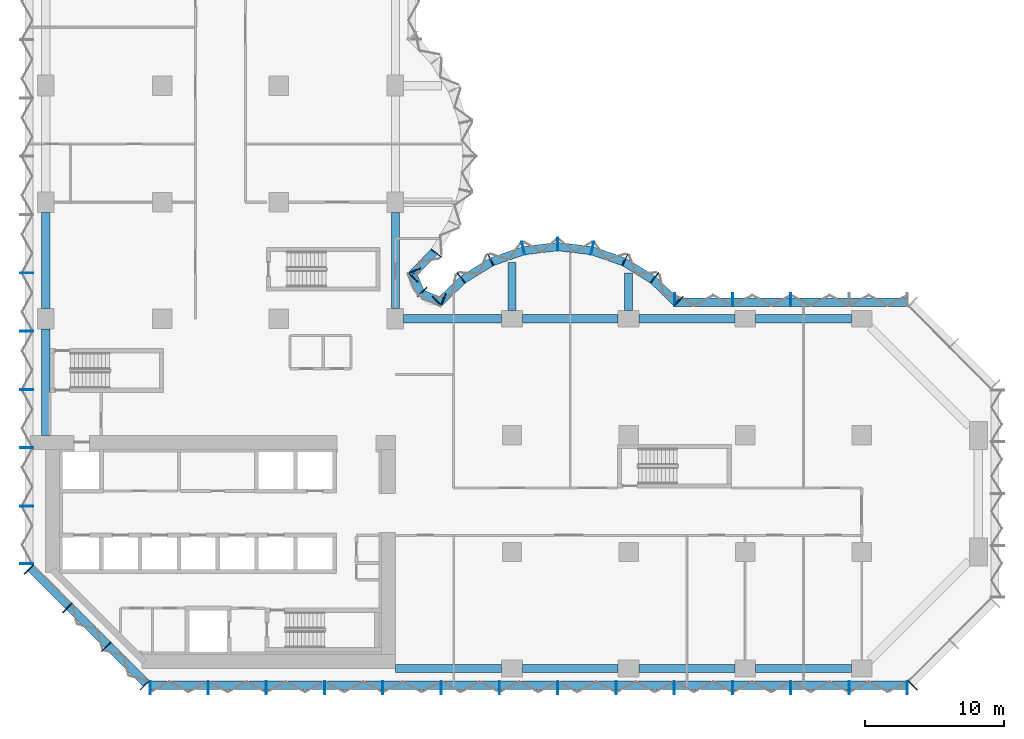
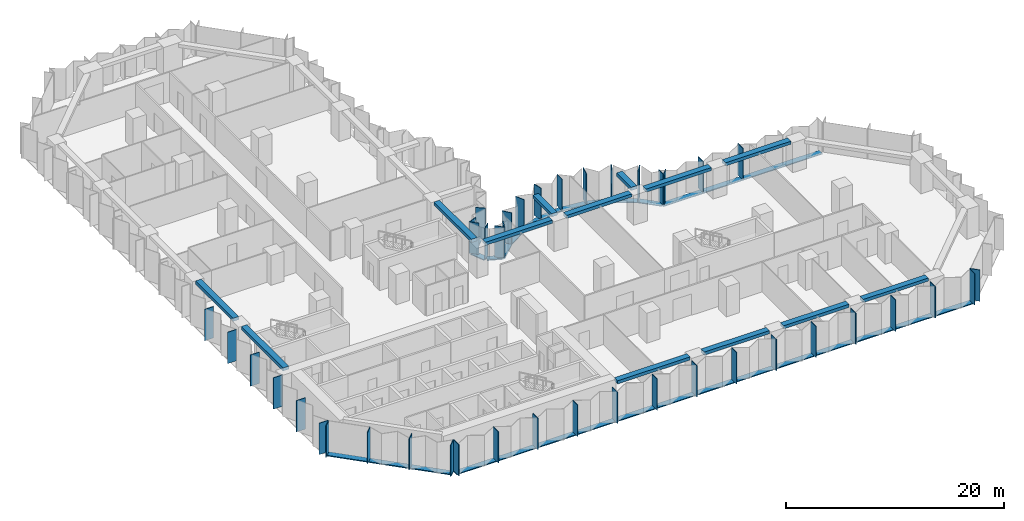
# One storey, part 2 of 15: 56 members, 13 beams, 8 elements without a shape of their own.
"""IFC4 building model written with IfcOpenShell, lengths in metres."""

from ifc_helpers import new_model, si_unit, direction, frame, origin, origin_2d, place, context, subcontext, project, spatial, rectangle, extrude, material, material_profile, profile_set, type_object, element, aggregate, save


model = new_model("IFC4")

# Units and contexts
model_context = context("Model", 3, precision=1e-05, world=origin(), true_north=direction((0.0, 1.0)))
body_context = subcontext(model_context, "Body", "Model", "MODEL_VIEW")
ifc_project = project(units=[si_unit("LENGTHUNIT", "METRE"), si_unit("AREAUNIT", "SQUARE_METRE"), si_unit("VOLUMEUNIT", "CUBIC_METRE"), si_unit("PLANEANGLEUNIT", "RADIAN"), si_unit("MASSUNIT", "GRAM", prefix="KILO")], contexts=[model_context])

# Site, building, storey
site_placement = place(None, origin())
site = spatial("IfcSite", under=ifc_project, at=site_placement, CompositionType="ELEMENT")
building_placement = place(site_placement, origin())
building = spatial("IfcBuilding", under=site, at=building_placement, Name="Brevane Broadcast Tower", CompositionType="ELEMENT")
storey_placement = place(building_placement, frame((0.0, 0.0, 79.699951171875)))
storey = spatial("IfcBuildingStorey", under=building, at=storey_placement, Name="L18", CompositionType="ELEMENT", Elevation=79.699951171875)

# Curtain wall, members
ifc_material_1 = material(Name="Aluminium 6063-T6 bronze anodised", Category="aluminium")
curtain_wall_type = type_object("IfcCurtainWallType", Name="CW-1 curtain wall", PredefinedType="NOTDEFINED", material=ifc_material_1)
curtain_wall_1_placement = place(storey_placement, origin())
curtain_wall_1 = element("IfcCurtainWall", 1, at=curtain_wall_1_placement, inside=storey, type_object=curtain_wall_type, Name="CW-1 typical tilted unit L18 south face", PredefinedType="NOTDEFINED")
ifc_material_profile_1 = material_profile(ifc_material_1, rectangle(XDim=0.949951171875, YDim=0.070068359375, at=origin_2d()), Name="RECT 70x950")
ifc_profile_set_1 = profile_set([ifc_material_profile_1], Name="Aluminium 6063-T6 bronze anodised")
member_type_1 = type_object("IfcMemberType", Name="CW-1 mullion 70x950", PredefinedType="MULLION", material=ifc_profile_set_1)
member_1_placement = place(storey_placement, frame((7.534912109375, -1.375, -0.14990234375), z_axis=(0.0, 0.0, 1.0), x_axis=(0.0, 1.0, 0.0)))
member_1 = element("IfcMember", 2, at=member_1_placement, type_object=member_type_1, Name="CW-1 mullion", PredefinedType="MULLION", context=body_context, shape_type="SweptSolid", body=[
    extrude(rectangle(XDim=0.949951171875, YDim=0.070068359375, at=origin_2d()), origin(), (0.0, 0.0, 1.0), 3.5),
])
member_2_placement = place(storey_placement, frame((11.699951171875, -1.375, -0.14990234375), z_axis=(0.0, 0.0, 1.0), x_axis=(0.0, 1.0, 0.0)))
member_2 = element("IfcMember", 3, at=member_2_placement, type_object=member_type_1, Name="CW-1 mullion", PredefinedType="MULLION", context=body_context, shape_type="SweptSolid", body=[
    extrude(rectangle(XDim=0.949951171875, YDim=0.070068359375, at=origin_2d()), origin(), (0.0, 0.0, 1.0), 3.5),
])
member_3_placement = place(storey_placement, frame((15.89990234375, -1.375, -0.14990234375), z_axis=(0.0, 0.0, 1.0), x_axis=(0.0, 1.0, 0.0)))
member_3 = element("IfcMember", 4, at=member_3_placement, type_object=member_type_1, Name="CW-1 mullion", PredefinedType="MULLION", context=body_context, shape_type="SweptSolid", body=[
    extrude(rectangle(XDim=0.949951171875, YDim=0.070068359375, at=origin_2d()), origin(), (0.0, 0.0, 1.0), 3.5),
])
member_4_placement = place(storey_placement, frame((20.10009765625, -1.375, -0.14990234375), z_axis=(0.0, 0.0, 1.0), x_axis=(0.0, 1.0, 0.0)))
member_4 = element("IfcMember", 5, at=member_4_placement, type_object=member_type_1, Name="CW-1 mullion", PredefinedType="MULLION", context=body_context, shape_type="SweptSolid", body=[
    extrude(rectangle(XDim=0.949951171875, YDim=0.070068359375, at=origin_2d()), origin(), (0.0, 0.0, 1.0), 3.5),
])
member_5_placement = place(storey_placement, frame((24.300048828125, -1.375, -0.14990234375), z_axis=(0.0, 0.0, 1.0), x_axis=(0.0, 1.0, 0.0)))
member_5 = element("IfcMember", 6, at=member_5_placement, type_object=member_type_1, Name="CW-1 mullion", PredefinedType="MULLION", context=body_context, shape_type="SweptSolid", body=[
    extrude(rectangle(XDim=0.949951171875, YDim=0.070068359375, at=origin_2d()), origin(), (0.0, 0.0, 1.0), 3.5),
])
member_6_placement = place(storey_placement, frame((28.5, -1.375, -0.14990234375), z_axis=(0.0, 0.0, 1.0), x_axis=(0.0, 1.0, 0.0)))
member_6 = element("IfcMember", 7, at=member_6_placement, type_object=member_type_1, Name="CW-1 mullion", PredefinedType="MULLION", context=body_context, shape_type="SweptSolid", body=[
    extrude(rectangle(XDim=0.949951171875, YDim=0.070068359375, at=origin_2d()), origin(), (0.0, 0.0, 1.0), 3.5),
])
member_7_placement = place(storey_placement, frame((32.699951171875, -1.375, -0.14990234375), z_axis=(0.0, 0.0, 1.0), x_axis=(0.0, 1.0, 0.0)))
member_7 = element("IfcMember", 8, at=member_7_placement, type_object=member_type_1, Name="CW-1 mullion", PredefinedType="MULLION", context=body_context, shape_type="SweptSolid", body=[
    extrude(rectangle(XDim=0.949951171875, YDim=0.070068359375, at=origin_2d()), origin(), (0.0, 0.0, 1.0), 3.5),
])
member_8_placement = place(storey_placement, frame((36.89990234375, -1.375, -0.14990234375), z_axis=(0.0, 0.0, 1.0), x_axis=(0.0, 1.0, 0.0)))
member_8 = element("IfcMember", 9, at=member_8_placement, type_object=member_type_1, Name="CW-1 mullion", PredefinedType="MULLION", context=body_context, shape_type="SweptSolid", body=[
    extrude(rectangle(XDim=0.949951171875, YDim=0.070068359375, at=origin_2d()), origin(), (0.0, 0.0, 1.0), 3.5),
])
member_9_placement = place(storey_placement, frame((41.10009765625, -1.375, -0.14990234375), z_axis=(0.0, 0.0, 1.0), x_axis=(0.0, 1.0, 0.0)))
member_9 = element("IfcMember", 10, at=member_9_placement, type_object=member_type_1, Name="CW-1 mullion", PredefinedType="MULLION", context=body_context, shape_type="SweptSolid", body=[
    extrude(rectangle(XDim=0.949951171875, YDim=0.070068359375, at=origin_2d()), origin(), (0.0, 0.0, 1.0), 3.5),
])
member_10_placement = place(storey_placement, frame((45.300048828125, -1.375, -0.14990234375), z_axis=(0.0, 0.0, 1.0), x_axis=(0.0, 1.0, 0.0)))
member_10 = element("IfcMember", 11, at=member_10_placement, type_object=member_type_1, Name="CW-1 mullion", PredefinedType="MULLION", context=body_context, shape_type="SweptSolid", body=[
    extrude(rectangle(XDim=0.949951171875, YDim=0.070068359375, at=origin_2d()), origin(), (0.0, 0.0, 1.0), 3.5),
])
member_11_placement = place(storey_placement, frame((49.5, -1.375, -0.14990234375), z_axis=(0.0, 0.0, 1.0), x_axis=(0.0, 1.0, 0.0)))
member_11 = element("IfcMember", 12, at=member_11_placement, type_object=member_type_1, Name="CW-1 mullion", PredefinedType="MULLION", context=body_context, shape_type="SweptSolid", body=[
    extrude(rectangle(XDim=0.949951171875, YDim=0.070068359375, at=origin_2d()), origin(), (0.0, 0.0, 1.0), 3.5),
])
member_12_placement = place(storey_placement, frame((53.699951171875, -1.375, -0.14990234375), z_axis=(0.0, 0.0, 1.0), x_axis=(0.0, 1.0, 0.0)))
member_12 = element("IfcMember", 13, at=member_12_placement, type_object=member_type_1, Name="CW-1 mullion", PredefinedType="MULLION", context=body_context, shape_type="SweptSolid", body=[
    extrude(rectangle(XDim=0.949951171875, YDim=0.070068359375, at=origin_2d()), origin(), (0.0, 0.0, 1.0), 3.5),
])
member_13_placement = place(storey_placement, frame((57.89990234375, -1.375, -0.14990234375), z_axis=(0.0, 0.0, 1.0), x_axis=(0.0, 1.0, 0.0)))
member_13 = element("IfcMember", 14, at=member_13_placement, type_object=member_type_1, Name="CW-1 mullion", PredefinedType="MULLION", context=body_context, shape_type="SweptSolid", body=[
    extrude(rectangle(XDim=0.949951171875, YDim=0.070068359375, at=origin_2d()), origin(), (0.0, 0.0, 1.0), 3.5),
])
member_14_placement = place(storey_placement, frame((62.06494140625, -1.375, -0.14990234375), z_axis=(0.0, 0.0, 1.0), x_axis=(0.0, 1.0, 0.0)))
member_14 = element("IfcMember", 15, at=member_14_placement, type_object=member_type_1, Name="CW-1 mullion", PredefinedType="MULLION", context=body_context, shape_type="SweptSolid", body=[
    extrude(rectangle(XDim=0.949951171875, YDim=0.070068359375, at=origin_2d()), origin(), (0.0, 0.0, 1.0), 3.5),
])

# Curtain wall, member
curtain_wall_2_placement = place(storey_placement, origin())
curtain_wall_2 = element("IfcCurtainWall", 16, at=curtain_wall_2_placement, inside=storey, type_object=curtain_wall_type, Name="CW-1 typical tilted unit L18 south-east chamfer", PredefinedType="NOTDEFINED")
member_15_placement = place(storey_placement, frame((62.460693359375, -1.211181640625, -0.14990234375), z_axis=(0.0, 0.0, 1.0), x_axis=(-0.707106781187, 0.707106781187, 0.0)))
member_15 = element("IfcMember", 17, at=member_15_placement, type_object=member_type_1, Name="CW-1 mullion", PredefinedType="MULLION", context=body_context, shape_type="SweptSolid", body=[
    extrude(rectangle(XDim=0.949951171875, YDim=0.070068359375, at=origin_2d()), origin(), (0.0, 0.0, 1.0), 3.5),
])
aggregate(curtain_wall_2, [member_15])

# Curtain wall, members
curtain_wall_3_placement = place(storey_placement, origin())
curtain_wall_3 = element("IfcCurtainWall", 18, at=curtain_wall_3_placement, inside=storey, type_object=curtain_wall_type, Name="CW-1 typical tilted unit L18 east arm north face", PredefinedType="NOTDEFINED")
member_16_placement = place(storey_placement, frame((53.699951171875, 26.574951171875, -0.14990234375), z_axis=(0.0, 0.0, 1.0), x_axis=(0.0, -1.0, 0.0)))
member_16 = element("IfcMember", 19, at=member_16_placement, type_object=member_type_1, Name="CW-1 mullion", PredefinedType="MULLION", context=body_context, shape_type="SweptSolid", body=[
    extrude(rectangle(XDim=0.949951171875, YDim=0.070068359375, at=origin_2d()), origin(), (0.0, 0.0, 1.0), 3.5),
])
member_17_placement = place(storey_placement, frame((49.5, 26.574951171875, -0.14990234375), z_axis=(0.0, 0.0, 1.0), x_axis=(0.0, -1.0, 0.0)))
member_17 = element("IfcMember", 20, at=member_17_placement, type_object=member_type_1, Name="CW-1 mullion", PredefinedType="MULLION", context=body_context, shape_type="SweptSolid", body=[
    extrude(rectangle(XDim=0.949951171875, YDim=0.070068359375, at=origin_2d()), origin(), (0.0, 0.0, 1.0), 3.5),
])
member_18_placement = place(storey_placement, frame((45.3349609375, 26.574951171875, -0.14990234375), z_axis=(0.0, 0.0, 1.0), x_axis=(0.0, -1.0, 0.0)))
member_18 = element("IfcMember", 21, at=member_18_placement, type_object=member_type_1, Name="CW-1 mullion", PredefinedType="MULLION", context=body_context, shape_type="SweptSolid", body=[
    extrude(rectangle(XDim=0.949951171875, YDim=0.070068359375, at=origin_2d()), origin(), (0.0, 0.0, 1.0), 3.5),
])

curtain_wall_4_placement = place(storey_placement, origin())
curtain_wall_4 = element("IfcCurtainWall", 22, at=curtain_wall_4_placement, inside=storey, type_object=curtain_wall_type, Name="CW-1 typical tilted unit L18 east bow", PredefinedType="NOTDEFINED")
member_19_placement = place(storey_placement, frame((45.60595703125, 26.465087890625, -0.14990234375), z_axis=(0.0, 0.0, 1.0), x_axis=(-0.696811941702, -0.717253872699, 0.0)))
member_19 = element("IfcMember", 23, at=member_19_placement, type_object=member_type_1, Name="CW-1 mullion", PredefinedType="MULLION", context=body_context, shape_type="SweptSolid", body=[
    extrude(rectangle(XDim=0.949951171875, YDim=0.070068359375, at=origin_2d()), origin(), (0.0, 0.0, 1.0), 3.5),
])
member_20_placement = place(storey_placement, frame((43.8720703125, 28.1455078125, -0.14990234375), z_axis=(0.0, 0.0, 1.0), x_axis=(-0.614769738617, -0.788706642853, 0.0)))
member_20 = element("IfcMember", 24, at=member_20_placement, type_object=member_type_1, Name="CW-1 mullion", PredefinedType="MULLION", context=body_context, shape_type="SweptSolid", body=[
    extrude(rectangle(XDim=0.949951171875, YDim=0.070068359375, at=origin_2d()), origin(), (0.0, 0.0, 1.0), 3.5),
])
member_21_placement = place(storey_placement, frame((41.746826171875, 29.4580078125, -0.14990234375), z_axis=(0.0, 0.0, 1.0), x_axis=(-0.429933601163, -0.902860508933, 0.0)))
member_21 = element("IfcMember", 25, at=member_21_placement, type_object=member_type_1, Name="CW-1 mullion", PredefinedType="MULLION", context=body_context, shape_type="SweptSolid", body=[
    extrude(rectangle(XDim=0.949951171875, YDim=0.070068359375, at=origin_2d()), origin(), (0.0, 0.0, 1.0), 3.5),
])
member_22_placement = place(storey_placement, frame((39.38818359375, 30.28076171875, -0.14990234375), z_axis=(0.0, 0.0, 1.0), x_axis=(-0.224806482215, -0.974403430594, 0.0)))
member_22 = element("IfcMember", 26, at=member_22_placement, type_object=member_type_1, Name="CW-1 mullion", PredefinedType="MULLION", context=body_context, shape_type="SweptSolid", body=[
    extrude(rectangle(XDim=0.949951171875, YDim=0.070068359375, at=origin_2d()), origin(), (0.0, 0.0, 1.0), 3.5),
])
member_23_placement = place(storey_placement, frame((36.89990234375, 30.574951171875, -0.14990234375), z_axis=(0.0, 0.0, 1.0), x_axis=(0.0, -1.0, 0.0)))
member_23 = element("IfcMember", 27, at=member_23_placement, type_object=member_type_1, Name="CW-1 mullion", PredefinedType="MULLION", context=body_context, shape_type="SweptSolid", body=[
    extrude(rectangle(XDim=0.949951171875, YDim=0.070068359375, at=origin_2d()), origin(), (0.0, 0.0, 1.0), 3.5),
])
member_24_placement = place(storey_placement, frame((34.411865234375, 30.28076171875, -0.14990234375), z_axis=(0.0, 0.0, 1.0), x_axis=(0.224806482215, -0.974403430594, 0.0)))
member_24 = element("IfcMember", 28, at=member_24_placement, type_object=member_type_1, Name="CW-1 mullion", PredefinedType="MULLION", context=body_context, shape_type="SweptSolid", body=[
    extrude(rectangle(XDim=0.949951171875, YDim=0.070068359375, at=origin_2d()), origin(), (0.0, 0.0, 1.0), 3.5),
])
member_25_placement = place(storey_placement, frame((32.05322265625, 29.4580078125, -0.14990234375), z_axis=(0.0, 0.0, 1.0), x_axis=(0.429933601163, -0.902860508933, 0.0)))
member_25 = element("IfcMember", 29, at=member_25_placement, type_object=member_type_1, Name="CW-1 mullion", PredefinedType="MULLION", context=body_context, shape_type="SweptSolid", body=[
    extrude(rectangle(XDim=0.949951171875, YDim=0.070068359375, at=origin_2d()), origin(), (0.0, 0.0, 1.0), 3.5),
])
member_26_placement = place(storey_placement, frame((29.927978515625, 28.1455078125, -0.14990234375), z_axis=(0.0, 0.0, 1.0), x_axis=(0.614769738617, -0.788706642853, 0.0)))
member_26 = element("IfcMember", 30, at=member_26_placement, type_object=member_type_1, Name="CW-1 mullion", PredefinedType="MULLION", context=body_context, shape_type="SweptSolid", body=[
    extrude(rectangle(XDim=0.949951171875, YDim=0.070068359375, at=origin_2d()), origin(), (0.0, 0.0, 1.0), 3.5),
])
member_27_placement = place(storey_placement, frame((28.194091796875, 26.465087890625, -0.14990234375), z_axis=(0.0, 0.0, 1.0), x_axis=(0.696811941702, -0.717253872699, 0.0)))
member_27 = element("IfcMember", 31, at=member_27_placement, type_object=member_type_1, Name="CW-1 mullion", PredefinedType="MULLION", context=body_context, shape_type="SweptSolid", body=[
    extrude(rectangle(XDim=0.949951171875, YDim=0.070068359375, at=origin_2d()), origin(), (0.0, 0.0, 1.0), 3.5),
])

curtain_wall_5_placement = place(storey_placement, origin())
curtain_wall_5 = element("IfcCurtainWall", 32, at=curtain_wall_5_placement, inside=storey, type_object=curtain_wall_type, Name="CW-1 typical tilted unit L18 inner corner", PredefinedType="NOTDEFINED")
member_28_placement = place(storey_placement, frame((28.6494140625, 26.55224609375, -0.14990234375), z_axis=(0.0, 0.0, 1.0), x_axis=(-0.382683612978, -0.923879457699, 0.0)))
member_28 = element("IfcMember", 33, at=member_28_placement, type_object=member_type_1, Name="CW-1 mullion", PredefinedType="MULLION", context=body_context, shape_type="SweptSolid", body=[
    extrude(rectangle(XDim=0.949951171875, YDim=0.070068359375, at=origin_2d()), origin(), (0.0, 0.0, 1.0), 3.5),
])
member_29_placement = place(storey_placement, frame((27.138916015625, 27.138916015625, -0.14990234375), z_axis=(0.0, 0.0, 1.0), x_axis=(-0.707106781187, -0.707106781187, 0.0)))
member_29 = element("IfcMember", 34, at=member_29_placement, type_object=member_type_1, Name="CW-1 mullion", PredefinedType="MULLION", context=body_context, shape_type="SweptSolid", body=[
    extrude(rectangle(XDim=0.949951171875, YDim=0.070068359375, at=origin_2d()), origin(), (0.0, 0.0, 1.0), 3.5),
])
member_30_placement = place(storey_placement, frame((26.55224609375, 28.6494140625, -0.14990234375), z_axis=(0.0, 0.0, 1.0), x_axis=(-0.923879457699, -0.382683612978, 0.0)))
member_30 = element("IfcMember", 35, at=member_30_placement, type_object=member_type_1, Name="CW-1 mullion", PredefinedType="MULLION", context=body_context, shape_type="SweptSolid", body=[
    extrude(rectangle(XDim=0.949951171875, YDim=0.070068359375, at=origin_2d()), origin(), (0.0, 0.0, 1.0), 3.5),
])

curtain_wall_6_placement = place(storey_placement, origin())
curtain_wall_6 = element("IfcCurtainWall", 36, at=curtain_wall_6_placement, inside=storey, type_object=curtain_wall_type, Name="CW-1 typical tilted unit L18 north bow", PredefinedType="NOTDEFINED")
member_31_placement = place(storey_placement, frame((26.465087890625, 28.194091796875, -0.14990234375), z_axis=(0.0, 0.0, 1.0), x_axis=(-0.717253872699, 0.696811941702, 0.0)))
member_31 = element("IfcMember", 37, at=member_31_placement, type_object=member_type_1, Name="CW-1 mullion", PredefinedType="MULLION", context=body_context, shape_type="SweptSolid", body=[
    extrude(rectangle(XDim=0.949951171875, YDim=0.070068359375, at=origin_2d()), origin(), (0.0, 0.0, 1.0), 3.5),
])
member_32_placement = place(storey_placement, frame((28.1455078125, 29.927978515625, -0.14990234375), z_axis=(0.0, 0.0, 1.0), x_axis=(-0.788706642853, 0.614769738617, 0.0)))
member_32 = element("IfcMember", 38, at=member_32_placement, type_object=member_type_1, Name="CW-1 mullion", PredefinedType="MULLION", context=body_context, shape_type="SweptSolid", body=[
    extrude(rectangle(XDim=0.949951171875, YDim=0.070068359375, at=origin_2d()), origin(), (0.0, 0.0, 1.0), 3.5),
])

curtain_wall_7_placement = place(storey_placement, origin())
curtain_wall_7 = element("IfcCurtainWall", 39, at=curtain_wall_7_placement, inside=storey, type_object=curtain_wall_type, Name="CW-1 typical tilted unit L18 west face", PredefinedType="NOTDEFINED")
member_33_placement = place(storey_placement, frame((-1.375, 28.5, -0.14990234375), z_axis=(0.0, 0.0, 1.0), x_axis=(1.0, 0.0, 0.0)))
member_33 = element("IfcMember", 40, at=member_33_placement, type_object=member_type_1, Name="CW-1 mullion", PredefinedType="MULLION", context=body_context, shape_type="SweptSolid", body=[
    extrude(rectangle(XDim=0.949951171875, YDim=0.070068359375, at=origin_2d()), origin(), (0.0, 0.0, 1.0), 3.5),
])
member_34_placement = place(storey_placement, frame((-1.375, 24.300048828125, -0.14990234375), z_axis=(0.0, 0.0, 1.0), x_axis=(1.0, 0.0, 0.0)))
member_34 = element("IfcMember", 41, at=member_34_placement, type_object=member_type_1, Name="CW-1 mullion", PredefinedType="MULLION", context=body_context, shape_type="SweptSolid", body=[
    extrude(rectangle(XDim=0.949951171875, YDim=0.070068359375, at=origin_2d()), origin(), (0.0, 0.0, 1.0), 3.5),
])
member_35_placement = place(storey_placement, frame((-1.375, 20.10009765625, -0.14990234375), z_axis=(0.0, 0.0, 1.0), x_axis=(1.0, 0.0, 0.0)))
member_35 = element("IfcMember", 42, at=member_35_placement, type_object=member_type_1, Name="CW-1 mullion", PredefinedType="MULLION", context=body_context, shape_type="SweptSolid", body=[
    extrude(rectangle(XDim=0.949951171875, YDim=0.070068359375, at=origin_2d()), origin(), (0.0, 0.0, 1.0), 3.5),
])
member_36_placement = place(storey_placement, frame((-1.375, 15.89990234375, -0.14990234375), z_axis=(0.0, 0.0, 1.0), x_axis=(1.0, 0.0, 0.0)))
member_36 = element("IfcMember", 43, at=member_36_placement, type_object=member_type_1, Name="CW-1 mullion", PredefinedType="MULLION", context=body_context, shape_type="SweptSolid", body=[
    extrude(rectangle(XDim=0.949951171875, YDim=0.070068359375, at=origin_2d()), origin(), (0.0, 0.0, 1.0), 3.5),
])
member_37_placement = place(storey_placement, frame((-1.375, 11.699951171875, -0.14990234375), z_axis=(0.0, 0.0, 1.0), x_axis=(1.0, 0.0, 0.0)))
member_37 = element("IfcMember", 44, at=member_37_placement, type_object=member_type_1, Name="CW-1 mullion", PredefinedType="MULLION", context=body_context, shape_type="SweptSolid", body=[
    extrude(rectangle(XDim=0.949951171875, YDim=0.070068359375, at=origin_2d()), origin(), (0.0, 0.0, 1.0), 3.5),
])
member_38_placement = place(storey_placement, frame((-1.375, 7.534912109375, -0.14990234375), z_axis=(0.0, 0.0, 1.0), x_axis=(1.0, 0.0, 0.0)))
member_38 = element("IfcMember", 45, at=member_38_placement, type_object=member_type_1, Name="CW-1 mullion", PredefinedType="MULLION", context=body_context, shape_type="SweptSolid", body=[
    extrude(rectangle(XDim=0.949951171875, YDim=0.070068359375, at=origin_2d()), origin(), (0.0, 0.0, 1.0), 3.5),
])
aggregate(curtain_wall_7, [member_33, member_34, member_35, member_36, member_37, member_38])

curtain_wall_8_placement = place(storey_placement, origin())
curtain_wall_8 = element("IfcCurtainWall", 46, at=curtain_wall_8_placement, inside=storey, type_object=curtain_wall_type, Name="CW-1 typical tilted unit L18 south-west chamfer", PredefinedType="NOTDEFINED")
member_39_placement = place(storey_placement, frame((-1.211181640625, 7.139404296875, -0.14990234375), z_axis=(0.0, 0.0, 1.0), x_axis=(0.707106781187, 0.707106781187, 0.0)))
member_39 = element("IfcMember", 47, at=member_39_placement, type_object=member_type_1, Name="CW-1 mullion", PredefinedType="MULLION", context=body_context, shape_type="SweptSolid", body=[
    extrude(rectangle(XDim=0.949951171875, YDim=0.070068359375, at=origin_2d()), origin(), (0.0, 0.0, 1.0), 3.5),
])
member_40_placement = place(storey_placement, frame((1.564208984375, 4.364013671875, -0.14990234375), z_axis=(0.0, 0.0, 1.0), x_axis=(0.707106781187, 0.707106781187, 0.0)))
member_40 = element("IfcMember", 48, at=member_40_placement, type_object=member_type_1, Name="CW-1 mullion", PredefinedType="MULLION", context=body_context, shape_type="SweptSolid", body=[
    extrude(rectangle(XDim=0.949951171875, YDim=0.070068359375, at=origin_2d()), origin(), (0.0, 0.0, 1.0), 3.5),
])
member_41_placement = place(storey_placement, frame((4.364013671875, 1.564208984375, -0.14990234375), z_axis=(0.0, 0.0, 1.0), x_axis=(0.707106781187, 0.707106781187, 0.0)))
member_41 = element("IfcMember", 49, at=member_41_placement, type_object=member_type_1, Name="CW-1 mullion", PredefinedType="MULLION", context=body_context, shape_type="SweptSolid", body=[
    extrude(rectangle(XDim=0.949951171875, YDim=0.070068359375, at=origin_2d()), origin(), (0.0, 0.0, 1.0), 3.5),
])
member_42_placement = place(storey_placement, frame((7.139404296875, -1.211181640625, -0.14990234375), z_axis=(0.0, 0.0, 1.0), x_axis=(0.707106781187, 0.707106781187, 0.0)))
member_42 = element("IfcMember", 50, at=member_42_placement, type_object=member_type_1, Name="CW-1 mullion", PredefinedType="MULLION", context=body_context, shape_type="SweptSolid", body=[
    extrude(rectangle(XDim=0.949951171875, YDim=0.070068359375, at=origin_2d()), origin(), (0.0, 0.0, 1.0), 3.5),
])

# Member
ifc_material_profile_2 = material_profile(ifc_material_1, rectangle(XDim=0.60009765625, YDim=0.10009765625, at=origin_2d()), Name="RECT 100x600")
ifc_profile_set_2 = profile_set([ifc_material_profile_2], Name="Aluminium 6063-T6 bronze anodised")
member_type_2 = type_object("IfcMemberType", Name="CW-1 transom 100x600", PredefinedType="USERDEFINED", material=ifc_profile_set_2)
member_43_placement = place(storey_placement, frame((7.5, -1.199951171875, -0.199951171875), z_axis=(1.0, 0.0, 0.0), x_axis=(0.0, 1.0, 0.0)))
member_43 = element("IfcMember", 51, at=member_43_placement, type_object=member_type_2, Name="CW-1 transom", ObjectType="TRANSOM", PredefinedType="USERDEFINED", context=body_context, shape_type="SweptSolid", body=[
    extrude(rectangle(XDim=0.60009765625, YDim=0.10009765625, at=origin_2d()), origin(), (0.0, 0.0, 1.0), 54.60009765625),
])

aggregate(curtain_wall_1, [member_1, member_2, member_3, member_4, member_5, member_6, member_7, member_8, member_9, member_10, member_11, member_12, member_13, member_14, member_43])

member_44_placement = place(storey_placement, frame((62.10009765625, 26.39990234375, -0.199951171875), z_axis=(-1.0, 0.0, 0.0), x_axis=(0.0, -1.0, 0.0)))
member_44 = element("IfcMember", 52, at=member_44_placement, type_object=member_type_2, Name="CW-1 transom", ObjectType="TRANSOM", PredefinedType="USERDEFINED", context=body_context, shape_type="SweptSolid", body=[
    extrude(rectangle(XDim=0.60009765625, YDim=0.10009765625, at=origin_2d()), origin(), (0.0, 0.0, 1.0), 16.800048828125),
])

aggregate(curtain_wall_3, [member_16, member_17, member_18, member_44])

member_45_placement = place(storey_placement, frame((45.412841796875, 26.407958984375, -0.199951171875), z_axis=(-0.71724215871, 0.696823999134, 0.0), x_axis=(-0.696823999134, -0.71724215871, 0.0)))
member_45 = element("IfcMember", 53, at=member_45_placement, type_object=member_type_2, Name="CW-1 transom", ObjectType="TRANSOM", PredefinedType="USERDEFINED", context=body_context, shape_type="SweptSolid", body=[
    extrude(rectangle(XDim=0.60009765625, YDim=0.10009765625, at=origin_2d()), origin(), (0.0, 0.0, 1.0), 2.247802734375),
])

member_46_placement = place(storey_placement, frame((43.7421875, 28.023193359375, -0.199951171875), z_axis=(-0.850810063131, 0.525473345162, 0.0), x_axis=(-0.525473345162, -0.850810063131, 0.0)))
member_46 = element("IfcMember", 54, at=member_46_placement, type_object=member_type_2, Name="CW-1 transom", ObjectType="TRANSOM", PredefinedType="USERDEFINED", context=body_context, shape_type="SweptSolid", body=[
    extrude(rectangle(XDim=0.60009765625, YDim=0.10009765625, at=origin_2d()), origin(), (0.0, 0.0, 1.0), 2.39453125),
])

member_47_placement = place(storey_placement, frame((41.63623046875, 29.314208984375, -0.199951171875), z_axis=(-0.944197969542, 0.329378497041, 0.0), x_axis=(-0.329378497041, -0.944197969542, 0.0)))
member_47 = element("IfcMember", 55, at=member_47_placement, type_object=member_type_2, Name="CW-1 transom", ObjectType="TRANSOM", PredefinedType="USERDEFINED", context=body_context, shape_type="SweptSolid", body=[
    extrude(rectangle(XDim=0.60009765625, YDim=0.10009765625, at=origin_2d()), origin(), (0.0, 0.0, 1.0), 2.394775390625),
])

member_48_placement = place(storey_placement, frame((39.30029296875, 30.117431640625, -0.199951171875), z_axis=(-0.993062061831, 0.117591417, 0.0), x_axis=(-0.117591417, -0.993062061831, 0.0)))
member_48 = element("IfcMember", 56, at=member_48_placement, type_object=member_type_2, Name="CW-1 transom", ObjectType="TRANSOM", PredefinedType="USERDEFINED", context=body_context, shape_type="SweptSolid", body=[
    extrude(rectangle(XDim=0.60009765625, YDim=0.10009765625, at=origin_2d()), origin(), (0.0, 0.0, 1.0), 2.39794921875),
])

member_49_placement = place(storey_placement, frame((36.880859375, 30.3994140625, -0.199951171875), z_axis=(-0.993060653805, -0.117603307202, 0.0), x_axis=(0.117603307202, -0.993060653805, 0.0)))
member_49 = element("IfcMember", 57, at=member_49_placement, type_object=member_type_2, Name="CW-1 transom", ObjectType="TRANSOM", PredefinedType="USERDEFINED", context=body_context, shape_type="SweptSolid", body=[
    extrude(rectangle(XDim=0.60009765625, YDim=0.10009765625, at=origin_2d()), origin(), (0.0, 0.0, 1.0), 2.397705078125),
])

member_50_placement = place(storey_placement, frame((34.425048828125, 30.10302734375, -0.199951171875), z_axis=(-0.944197969542, -0.329378497041, 0.0), x_axis=(0.329378497041, -0.944197969542, 0.0)))
member_50 = element("IfcMember", 58, at=member_50_placement, type_object=member_type_2, Name="CW-1 transom", ObjectType="TRANSOM", PredefinedType="USERDEFINED", context=body_context, shape_type="SweptSolid", body=[
    extrude(rectangle(XDim=0.60009765625, YDim=0.10009765625, at=origin_2d()), origin(), (0.0, 0.0, 1.0), 2.394775390625),
])

member_51_placement = place(storey_placement, frame((32.09521484375, 29.281494140625, -0.199951171875), z_axis=(-0.850838211365, -0.525427766759, 0.0), x_axis=(0.525427766759, -0.850838211365, 0.0)))
member_51 = element("IfcMember", 59, at=member_51_placement, type_object=member_type_2, Name="CW-1 transom", ObjectType="TRANSOM", PredefinedType="USERDEFINED", context=body_context, shape_type="SweptSolid", body=[
    extrude(rectangle(XDim=0.60009765625, YDim=0.10009765625, at=origin_2d()), origin(), (0.0, 0.0, 1.0), 2.394775390625),
])

member_52_placement = place(storey_placement, frame((29.99951171875, 27.974365234375, -0.199951171875), z_axis=(-0.71724215871, -0.696823999134, 0.0), x_axis=(0.696823999134, -0.71724215871, 0.0)))
member_52 = element("IfcMember", 60, at=member_52_placement, type_object=member_type_2, Name="CW-1 transom", ObjectType="TRANSOM", PredefinedType="USERDEFINED", context=body_context, shape_type="SweptSolid", body=[
    extrude(rectangle(XDim=0.60009765625, YDim=0.10009765625, at=origin_2d()), origin(), (0.0, 0.0, 1.0), 2.247802734375),
])

aggregate(curtain_wall_4, [member_19, member_20, member_21, member_22, member_23, member_24, member_25, member_26, member_27, member_45, member_46, member_47, member_48, member_49, member_50, member_51, member_52])

member_53_placement = place(storey_placement, frame((28.528076171875, 26.40673828125, -0.199951171875), z_axis=(-0.923883243627, 0.382674472816, 0.0), x_axis=(-0.382674472816, -0.923883243627, 0.0)))
member_53 = element("IfcMember", 61, at=member_53_placement, type_object=member_type_2, Name="CW-1 transom", ObjectType="TRANSOM", PredefinedType="USERDEFINED", context=body_context, shape_type="SweptSolid", body=[
    extrude(rectangle(XDim=0.60009765625, YDim=0.10009765625, at=origin_2d()), origin(), (0.0, 0.0, 1.0), 1.536865234375),
])

member_54_placement = place(storey_placement, frame((27.039794921875, 27.0, -0.199951171875), z_axis=(-0.382674472816, 0.923883243627, 0.0), x_axis=(-0.923883243627, -0.382674472816, 0.0)))
member_54 = element("IfcMember", 62, at=member_54_placement, type_object=member_type_2, Name="CW-1 transom", ObjectType="TRANSOM", PredefinedType="USERDEFINED", context=body_context, shape_type="SweptSolid", body=[
    extrude(rectangle(XDim=0.60009765625, YDim=0.10009765625, at=origin_2d()), origin(), (0.0, 0.0, 1.0), 1.536865234375),
])

aggregate(curtain_wall_5, [member_28, member_29, member_30, member_53, member_54])

member_55_placement = place(storey_placement, frame((26.407958984375, 28.38720703125, -0.199951171875), z_axis=(0.696823999134, 0.71724215871, 0.0), x_axis=(-0.71724215871, 0.696823999134, 0.0)))
member_55 = element("IfcMember", 63, at=member_55_placement, type_object=member_type_2, Name="CW-1 transom", ObjectType="TRANSOM", PredefinedType="USERDEFINED", context=body_context, shape_type="SweptSolid", body=[
    extrude(rectangle(XDim=0.60009765625, YDim=0.10009765625, at=origin_2d()), origin(), (0.0, 0.0, 1.0), 2.247802734375),
])

aggregate(curtain_wall_6, [member_31, member_32, member_55])

member_56_placement = place(storey_placement, frame((-1.112060546875, 7.287841796875, -0.199951171875), z_axis=(0.707106781187, -0.707106781187, 0.0), x_axis=(0.707106781187, 0.707106781187, 0.0)))
member_56 = element("IfcMember", 64, at=member_56_placement, type_object=member_type_2, Name="CW-1 transom", ObjectType="TRANSOM", PredefinedType="USERDEFINED", context=body_context, shape_type="SweptSolid", body=[
    extrude(rectangle(XDim=0.60009765625, YDim=0.10009765625, at=origin_2d()), origin(), (0.0, 0.0, 1.0), 11.879150390625),
])

aggregate(curtain_wall_8, [member_39, member_40, member_41, member_42, member_56])

# Beams
ifc_material_2 = material(Name="Concrete C40/50", Category="concrete")
ifc_material_profile_3 = material_profile(ifc_material_2, rectangle(XDim=0.60009765625, YDim=0.35009765625, at=origin_2d()), Name="RC 600x350")
ifc_profile_set_3 = profile_set([ifc_material_profile_3], Name="Concrete C40/50")
beam_type_1 = type_object("IfcBeamType", Name="RC BRACKET BEAM 600x350 C40/50", PredefinedType="BEAM", material=ifc_profile_set_3)
beam_1_placement = place(storey_placement, frame((33.60009765625, 25.800048828125, 3.175048828125), z_axis=(0.0, 1.0, 0.0), x_axis=(-1.0, 0.0, 0.0)))
element("IfcBeam", 65, at=beam_1_placement, inside=storey, type_object=beam_type_1, Name="EB2 L18-3", PredefinedType="BEAM", context=body_context, shape_type="SweptSolid", body=[
    extrude(rectangle(XDim=0.60009765625, YDim=0.35009765625, at=origin_2d()), origin(), (0.0, 0.0, 1.0), 3.4619140625),
])
beam_2_placement = place(storey_placement, frame((42.0, 25.800048828125, 3.175048828125), z_axis=(0.0, 1.0, 0.0), x_axis=(-1.0, 0.0, 0.0)))
element("IfcBeam", 66, at=beam_2_placement, inside=storey, type_object=beam_type_1, Name="EB2 L18-4", PredefinedType="BEAM", context=body_context, shape_type="SweptSolid", body=[
    extrude(rectangle(XDim=0.60009765625, YDim=0.35009765625, at=origin_2d()), origin(), (0.0, 0.0, 1.0), 2.71142578125),
])
ifc_material_profile_4 = material_profile(ifc_material_2, rectangle(XDim=0.60009765625, YDim=0.35009765625, at=origin_2d()), Name="RC 600x350")
ifc_profile_set_4 = profile_set([ifc_material_profile_4], Name="Concrete C40/50")
beam_type_2 = type_object("IfcBeamType", Name="RC SPANDREL BEAM 600x350 C40/50", PredefinedType="SPANDREL", material=ifc_profile_set_4)
beam_3_placement = place(storey_placement, frame((25.199951171875, 0.0, 3.175048828125), z_axis=(1.0, 0.0, 0.0), x_axis=(0.0, 1.0, 0.0)))
element("IfcBeam", 67, at=beam_3_placement, inside=storey, type_object=beam_type_2, Name="EB1 L18-1", PredefinedType="SPANDREL", context=body_context, shape_type="SweptSolid", body=[
    extrude(rectangle(XDim=0.60009765625, YDim=0.35009765625, at=origin_2d()), origin(), (0.0, 0.0, 1.0), 7.650146484375),
])
for number, where, z_axis, x_axis, name in (
    (68, (34.35009765625, 0.0, 3.175048828125), (1.0, 0.0, 0.0), (0.0, 1.0, 0.0), "EB1 L18-2"),
    (69, (42.75, 0.0, 3.175048828125), (1.0, 0.0, 0.0), (0.0, 1.0, 0.0), "EB1 L18-3"),
):
    element("IfcBeam", number, at=place(storey_placement, frame(where, z_axis=z_axis, x_axis=x_axis)), inside=storey, type_object=beam_type_2, Name=name, PredefinedType="SPANDREL", context=body_context, shape_type="SweptSolid", body=[
        extrude(rectangle(XDim=0.60009765625, YDim=0.35009765625, at=origin_2d()), origin(), (0.0, 0.0, 1.0), 6.89990234375),
    ])
for number, where, z_axis, x_axis, name in (
    (70, (51.14990234375, 0.0, 3.175048828125), (1.0, 0.0, 0.0), (0.0, 1.0, 0.0), "EB1 L18-4"),
    (71, (58.050048828125, 25.199951171875, 3.175048828125), (-1.0, 0.0, 0.0), (0.0, -1.0, 0.0), "EB1 L18-8"),
):
    element("IfcBeam", number, at=place(storey_placement, frame(where, z_axis=z_axis, x_axis=x_axis)), inside=storey, type_object=beam_type_2, Name=name, PredefinedType="SPANDREL", context=body_context, shape_type="SweptSolid", body=[
        extrude(rectangle(XDim=0.60009765625, YDim=0.35009765625, at=origin_2d()), origin(), (0.0, 0.0, 1.0), 6.900146484375),
    ])
for number, where, z_axis, x_axis, name in (
    (72, (49.64990234375, 25.199951171875, 3.175048828125), (-1.0, 0.0, 0.0), (0.0, -1.0, 0.0), "EB1 L18-9"),
    (73, (41.25, 25.199951171875, 3.175048828125), (-1.0, 0.0, 0.0), (0.0, -1.0, 0.0), "EB1 L18-10"),
):
    element("IfcBeam", number, at=place(storey_placement, frame(where, z_axis=z_axis, x_axis=x_axis)), inside=storey, type_object=beam_type_2, Name=name, PredefinedType="SPANDREL", context=body_context, shape_type="SweptSolid", body=[
        extrude(rectangle(XDim=0.60009765625, YDim=0.35009765625, at=origin_2d()), origin(), (0.0, 0.0, 1.0), 6.89990234375),
    ])
beam_4_placement = place(storey_placement, frame((32.85009765625, 25.199951171875, 3.175048828125), z_axis=(-1.0, 0.0, 0.0), x_axis=(0.0, -1.0, 0.0)))
element("IfcBeam", 74, at=beam_4_placement, inside=storey, type_object=beam_type_2, Name="EB1 L18-11", PredefinedType="SPANDREL", context=body_context, shape_type="SweptSolid", body=[
    extrude(rectangle(XDim=0.60009765625, YDim=0.35009765625, at=origin_2d()), origin(), (0.0, 0.0, 1.0), 7.050048828125),
])
for number, where, z_axis, x_axis, name in (
    (75, (25.199951171875, 25.949951171875, 3.175048828125), (0.0, 1.0, 0.0), (-1.0, 0.0, 0.0), "EB1 L18-12"),
    (76, (0.0, 32.85009765625, 3.175048828125), (0.0, -1.0, 0.0), (1.0, 0.0, 0.0), "EB1 L18-22"),
):
    element("IfcBeam", number, at=place(storey_placement, frame(where, z_axis=z_axis, x_axis=x_axis)), inside=storey, type_object=beam_type_2, Name=name, PredefinedType="SPANDREL", context=body_context, shape_type="SweptSolid", body=[
        extrude(rectangle(XDim=0.60009765625, YDim=0.35009765625, at=origin_2d()), origin(), (0.0, 0.0, 1.0), 6.900146484375),
    ])
beam_5_placement = place(storey_placement, frame((0.0, 24.449951171875, 3.175048828125), z_axis=(0.0, -1.0, 0.0), x_axis=(1.0, 0.0, 0.0)))
element("IfcBeam", 77, at=beam_5_placement, inside=storey, type_object=beam_type_2, Name="EB1 L18-23", PredefinedType="SPANDREL", context=body_context, shape_type="SweptSolid", body=[
    extrude(rectangle(XDim=0.60009765625, YDim=0.35009765625, at=origin_2d()), origin(), (0.0, 0.0, 1.0), 7.64990234375),
])

save(model, "model.ifc")
